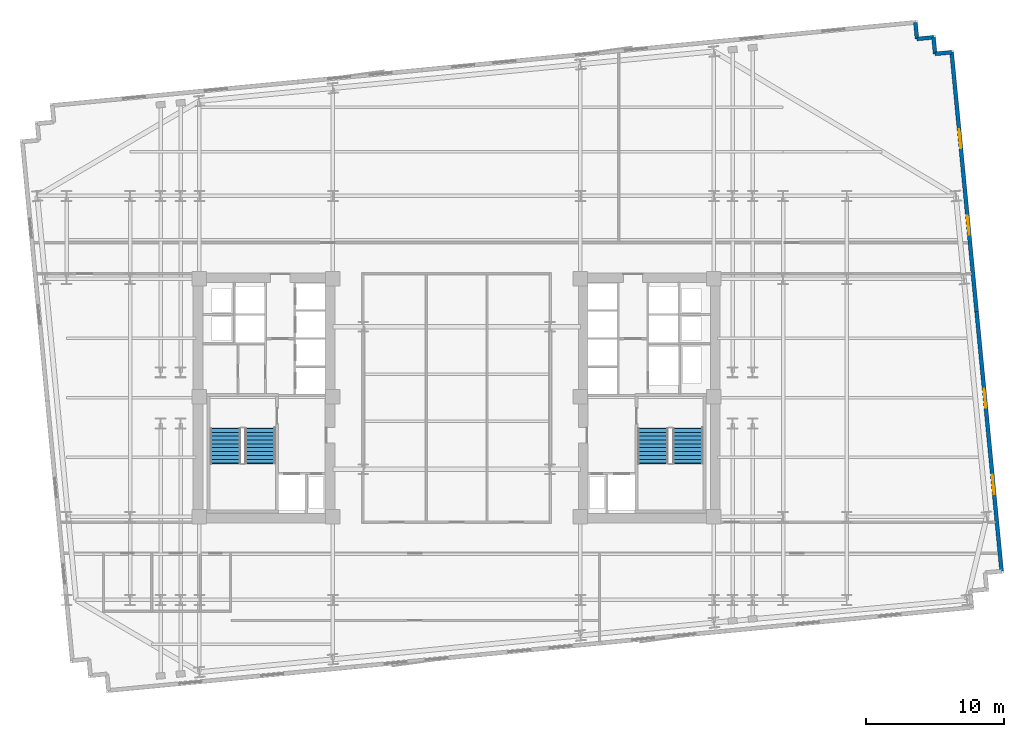
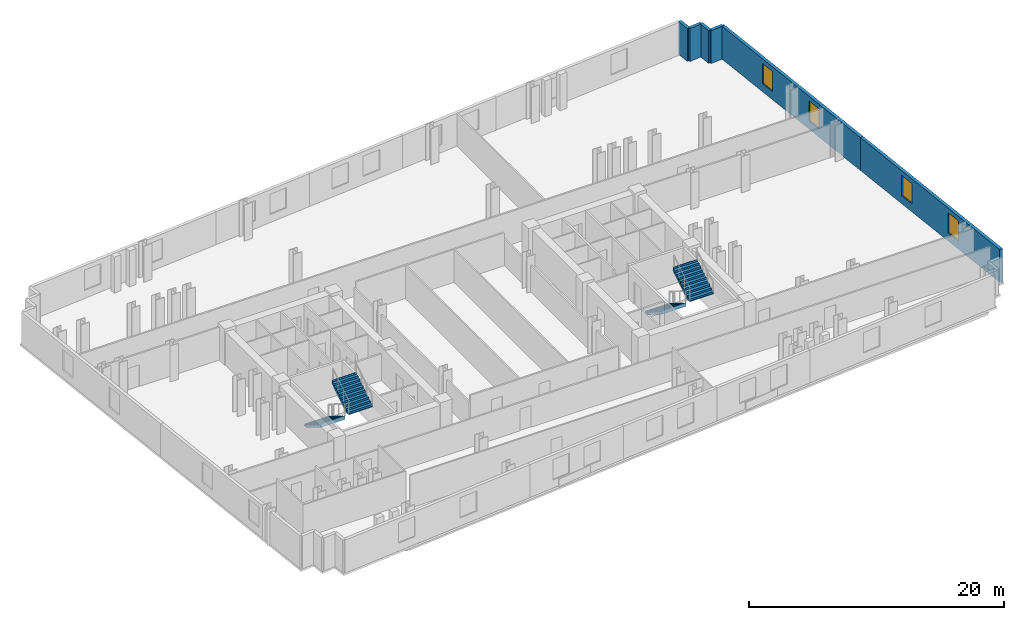
# One storey, part 8 of 10: 6 walls, 4 stair flights, 4 windows, 4 openings, 2 elements without a shape of their own.
"""IFC4 building model written with IfcOpenShell, lengths in metres."""

from ifc_helpers import new_model, si_unit, direction, frame, frame_2d, origin, place, context, subcontext, project, spatial, polyline, rectangle, outline, extrude, material, layer, layer_set, type_object, element, fill, aggregate, save


model = new_model("IFC4")

# Units and contexts
model_context = context("Model", 3, precision=1e-05, world=origin(), true_north=direction((0.0, 1.0)))
body_context = subcontext(model_context, "Body", "Model", "MODEL_VIEW")
ifc_project = project(units=[si_unit("LENGTHUNIT", "METRE"), si_unit("AREAUNIT", "SQUARE_METRE"), si_unit("VOLUMEUNIT", "CUBIC_METRE"), si_unit("PLANEANGLEUNIT", "RADIAN"), si_unit("MASSUNIT", "GRAM", prefix="KILO")], contexts=[model_context])

# Site, building, storey
site_placement = place(None, origin())
site = spatial("IfcSite", under=ifc_project, at=site_placement, CompositionType="ELEMENT")
building_placement = place(site_placement, origin())
building = spatial("IfcBuilding", under=site, at=building_placement, Name="Velakula Bourse", CompositionType="ELEMENT")
storey_placement = place(building_placement, frame((0.0, 0.0, 108.699951171875)))
storey = spatial("IfcBuildingStorey", under=building, at=storey_placement, Name="L29", CompositionType="ELEMENT", Elevation=108.699951171875)

# Wall, openings, windows
ifc_material_1 = material(Name="Red kilned clay facing brick masonry", Category="masonry")
ifc_layer_1 = layer(ifc_material_1, 0.280029296875, Name="Red kilned clay facing brick masonry", Category="masonry")
ifc_layer_set_1 = layer_set([ifc_layer_1], Name="Red kilned clay facing brick masonry")
wall_type = type_object("IfcWallType", Name="WL-EXT-BRK-280", PredefinedType="STANDARD", material=ifc_layer_set_1)
wall_1_placement = place(storey_placement, frame((37.584716796875, 6.23388671875, 0.0), z_axis=(0.0, 0.0, 1.0), x_axis=(0.095841297881, -0.99539662729, 0.0)))
wall_1 = element("IfcWall", 1, at=wall_1_placement, inside=storey, type_object=wall_type, Name="L29 E Brick End Wall W1", PredefinedType="STANDARD", context=body_context, shape_type="SweptSolid", body=[
    extrude(rectangle(XDim=18.840087890625, YDim=0.280029296875, at=frame_2d((9.419921875, 0.0))), origin(), (0.0, 0.0, 1.0), 3.150146484375),
])
opening_1_placement = place(wall_1_placement, frame((5.580078125, 0.0, 0.760009765625)))
opening_1 = element("IfcOpeningElement", 2, at=opening_1_placement, cuts=wall_1, Name="Opening W-03", PredefinedType="OPENING", context=body_context, shape_type="SweptSolid", body=[
    extrude(rectangle(XDim=1.39990234375, YDim=1.949951171875, at=frame_2d((0.699951171875, 0.97509765625))), frame((0.0, 0.14990234375, 0.0), z_axis=(0.0, -1.0, 0.0), x_axis=(1.0, 0.0, 0.0)), (0.0, 0.0, 1.0), 0.300048828125),
])
opening_2_placement = place(wall_1_placement, frame((11.860107421875, 0.0, 0.760009765625)))
opening_2 = element("IfcOpeningElement", 3, at=opening_2_placement, cuts=wall_1, Name="Opening W-03", PredefinedType="OPENING", context=body_context, shape_type="SweptSolid", body=[
    extrude(rectangle(XDim=1.39990234375, YDim=1.949951171875, at=frame_2d((0.699951171875, 0.97509765625))), frame((0.0, 0.14990234375, 0.0), z_axis=(0.0, -1.0, 0.0), x_axis=(1.0, 0.0, 0.0)), (0.0, 0.0, 1.0), 0.300048828125),
])
ifc_material_2 = material(Name="Double-glazed solar-control Low-E glass", Category="glass")
window_type = type_object("IfcWindowType", Name="WIN-TWR-1400x2100", PartitioningType="SINGLE_PANEL", PredefinedType="WINDOW", material=ifc_material_2)
window_1_placement = place(opening_1_placement, origin())
window_1 = element("IfcWindow", 4, at=window_1_placement, inside=storey, type_object=window_type, Name="L29 Deep-Set Recessed Window 1", OverallHeight=1.949951171875, OverallWidth=1.39990234375, PartitioningType="SINGLE_PANEL", PredefinedType="WINDOW", context=body_context, shape_type="SweptSolid", body=[
    extrude(rectangle(XDim=1.39990234375, YDim=1.949951171875, at=frame_2d((0.699951171875, 0.97509765625))), frame((0.0, 0.030029296875, 0.0), z_axis=(0.0, -1.0, 0.0), x_axis=(1.0, 0.0, 0.0)), (0.0, 0.0, 1.0), 0.06005859375),
])
fill(opening_1, window_1)
window_2_placement = place(opening_2_placement, origin())
window_2 = element("IfcWindow", 5, at=window_2_placement, inside=storey, type_object=window_type, Name="L29 Deep-Set Recessed Window 2", OverallHeight=1.949951171875, OverallWidth=1.39990234375, PartitioningType="SINGLE_PANEL", PredefinedType="WINDOW", context=body_context, shape_type="SweptSolid", body=[
    extrude(rectangle(XDim=1.39990234375, YDim=1.949951171875, at=frame_2d((0.699951171875, 0.97509765625))), frame((0.0, 0.030029296875, 0.0), z_axis=(0.0, -1.0, 0.0), x_axis=(1.0, 0.0, 0.0)), (0.0, 0.0, 1.0), 0.06005859375),
])
fill(opening_2, window_2)

wall_2_placement = place(storey_placement, frame((35.779052734375, 24.987060546875, 0.0), z_axis=(0.0, 0.0, 1.0), x_axis=(0.095842534142, -0.995396508256, 0.0)))
wall_2 = element("IfcWall", 6, at=wall_2_placement, inside=storey, type_object=wall_type, Name="L29 E Brick End Wall W2", PredefinedType="STANDARD", context=body_context, shape_type="SweptSolid", body=[
    extrude(rectangle(XDim=18.83984375, YDim=0.280029296875, at=frame_2d((9.419921875, 0.0))), origin(), (0.0, 0.0, 1.0), 3.150146484375),
])
opening_3_placement = place(wall_2_placement, frame((5.580078125, 0.0, 0.760009765625)))
opening_3 = element("IfcOpeningElement", 7, at=opening_3_placement, cuts=wall_2, Name="Opening W-03", PredefinedType="OPENING", context=body_context, shape_type="SweptSolid", body=[
    extrude(rectangle(XDim=1.39990234375, YDim=1.949951171875, at=frame_2d((0.699951171875, 0.97509765625))), frame((0.0, 0.14990234375, 0.0), z_axis=(0.0, -1.0, 0.0), x_axis=(1.0, 0.0, 0.0)), (0.0, 0.0, 1.0), 0.300048828125),
])
opening_4_placement = place(wall_2_placement, frame((11.860107421875, 0.0, 0.760009765625)))
opening_4 = element("IfcOpeningElement", 8, at=opening_4_placement, cuts=wall_2, Name="Opening W-03", PredefinedType="OPENING", context=body_context, shape_type="SweptSolid", body=[
    extrude(rectangle(XDim=1.39990234375, YDim=1.949951171875, at=frame_2d((0.699951171875, 0.97509765625))), frame((0.0, 0.14990234375, 0.0), z_axis=(0.0, -1.0, 0.0), x_axis=(1.0, 0.0, 0.0)), (0.0, 0.0, 1.0), 0.300048828125),
])
window_3_placement = place(opening_3_placement, origin())
window_3 = element("IfcWindow", 9, at=window_3_placement, inside=storey, type_object=window_type, Name="L29 Deep-Set Recessed Window 1", OverallHeight=1.949951171875, OverallWidth=1.39990234375, PartitioningType="SINGLE_PANEL", PredefinedType="WINDOW", context=body_context, shape_type="SweptSolid", body=[
    extrude(rectangle(XDim=1.39990234375, YDim=1.949951171875, at=frame_2d((0.699951171875, 0.97509765625))), frame((0.0, 0.030029296875, 0.0), z_axis=(0.0, -1.0, 0.0), x_axis=(1.0, 0.0, 0.0)), (0.0, 0.0, 1.0), 0.06005859375),
])
fill(opening_3, window_3)
window_4_placement = place(opening_4_placement, origin())
window_4 = element("IfcWindow", 10, at=window_4_placement, inside=storey, type_object=window_type, Name="L29 Deep-Set Recessed Window 2", OverallHeight=1.949951171875, OverallWidth=1.39990234375, PartitioningType="SINGLE_PANEL", PredefinedType="WINDOW", context=body_context, shape_type="SweptSolid", body=[
    extrude(rectangle(XDim=1.39990234375, YDim=1.949951171875, at=frame_2d((0.699951171875, 0.97509765625))), frame((0.0, 0.030029296875, 0.0), z_axis=(0.0, -1.0, 0.0), x_axis=(1.0, 0.0, 0.0)), (0.0, 0.0, 1.0), 0.06005859375),
])
fill(opening_4, window_4)

# Walls
for number, where, z_axis, x_axis, name in (
    (11, (35.779052734375, 24.987060546875, 0.0), (0.0, 0.0, 1.0), (-0.995398960025, -0.095817067274, 0.0), "L29 Serrated Corner Brick Wall NE-1"),
    (12, (34.58447265625, 24.8720703125, 0.0), (0.0, 0.0, 1.0), (-0.095817067274, 0.995398960025, 0.0), "L29 Serrated Corner Brick Wall NE-2"),
    (13, (34.469482421875, 26.066650390625, 0.0), (0.0, 0.0, 1.0), (-0.995398960025, -0.095817067274, 0.0), "L29 Serrated Corner Brick Wall NE-3"),
):
    element("IfcWall", number, at=place(storey_placement, frame(where, z_axis=z_axis, x_axis=x_axis)), inside=storey, type_object=wall_type, Name=name, PredefinedType="STANDARD", context=body_context, shape_type="SweptSolid", body=[
        extrude(rectangle(XDim=1.2001953125, YDim=0.280029296875, at=frame_2d((0.60009765625, 0.0))), origin(), (0.0, 0.0, 1.0), 3.150146484375),
    ])
wall_3_placement = place(storey_placement, frame((33.27490234375, 25.95166015625, 0.0), z_axis=(0.0, 0.0, 1.0), x_axis=(-0.095836473879, 0.995397091755, 0.0)))
element("IfcWall", 14, at=wall_3_placement, inside=storey, type_object=wall_type, Name="L29 Serrated Corner Brick Wall NE-4", PredefinedType="STANDARD", context=body_context, shape_type="SweptSolid", body=[
    extrude(rectangle(XDim=1.199951171875, YDim=0.280029296875, at=frame_2d((0.60009765625, 0.0))), origin(), (0.0, 0.0, 1.0), 3.150146484375),
])

# Stair, stair flights
ifc_material_3 = material(Name="Concrete M45 (fck 45 MPa)", Category="concrete")
stair_type = type_object("IfcStairType", Name="STR-DOG-390", PredefinedType="HALF_TURN_STAIR", material=ifc_material_3)
stair_1_placement = place(storey_placement, origin())
stair_1 = element("IfcStair", 15, at=stair_1_placement, inside=storey, type_object=stair_type, Name="L29 West Core Exit Stair ST-W1", PredefinedType="HALF_TURN_STAIR")
ifc_layer_2 = layer(ifc_material_3, 0.195068359375, Name="Concrete M45 (fck 45 MPa)", Category="concrete")
ifc_layer_set_2 = layer_set([ifc_layer_2], Name="Concrete M45 (fck 45 MPa)")
stair_flight_type = type_object("IfcStairFlightType", Name="FLT-DOG-390", PredefinedType="STRAIGHT", material=ifc_layer_set_2)
stair_flight_1_placement = place(storey_placement, frame((-16.720947265625, -2.199951171875, 0.0), z_axis=(0.0, 0.0, 1.0), x_axis=(0.0, -1.0, 0.0)))
stair_flight_1 = element("IfcStairFlight", 16, at=stair_flight_1_placement, type_object=stair_flight_type, Name="ST-W1 flight 1", NumberOfRisers=10, NumberOfTreads=9, PredefinedType="STRAIGHT", RiserHeight=0.1725, TreadLength=0.28, context=body_context, shape_type="SweptSolid", body=[
    extrude(outline(polyline([(-0.044921875, -0.0400390625), (-0.044921875, -0.036865234375), (-0.044921875, -0.033935546875), (-0.044921875, -0.03076171875), (-0.044921875, -0.027587890625), (-0.044921875, -0.024658203125), (-0.044921875, -0.021484375), (-0.044921875, -0.0185546875), (-0.044921875, -0.015380859375), (-0.044921875, -0.01220703125), (-0.044921875, -0.00927734375), (-0.044921875, -0.006103515625), (-0.044921875, -0.003173828125), (-0.044921875, 0.0), (0.0, 0.0), (0.0, 0.172607421875), (0.280029296875, 0.172607421875), (0.280029296875, 0.344970703125), (0.56005859375, 0.344970703125), (0.56005859375, 0.517578125), (0.840087890625, 0.517578125), (0.840087890625, 0.68994140625), (1.1201171875, 0.68994140625), (1.1201171875, 0.862548828125), (1.39990234375, 0.862548828125), (1.39990234375, 1.034912109375), (1.679931640625, 1.034912109375), (1.679931640625, 1.20751953125), (1.9599609375, 1.20751953125), (1.9599609375, 1.3798828125), (2.239990234375, 1.3798828125), (2.239990234375, 1.552490234375), (2.52001953125, 1.552490234375), (2.52001953125, 1.72509765625), (2.56494140625, 1.72509765625), (2.56494140625, 1.7001953125), (2.56494140625, 1.67529296875), (2.56494140625, 1.650390625), (2.56494140625, 1.62548828125), (2.56494140625, 1.6005859375), (2.56494140625, 1.57568359375), (2.56494140625, 1.55078125), (2.56494140625, 1.52587890625), (2.56494140625, 1.5009765625), (2.56494140625, 1.47607421875), (2.56494140625, 1.451171875), (2.56494140625, 1.42626953125), (2.56494140625, 1.4013671875), (2.56494140625, 1.37646484375), (0.285888671875, -0.0400390625), (-0.044921875, -0.0400390625)])), frame((0.0, 1.09912109375, 0.0), z_axis=(0.0, -1.0, 0.0), x_axis=(1.0, 0.0, 0.0)), (0.0, 0.0, 1.0), 2.197998046875),
])
stair_flight_2_placement = place(storey_placement, frame((-14.198974609375, -4.719970703125, 1.72509765625), z_axis=(0.0, 0.0, 1.0), x_axis=(0.0, 1.0, 0.0)))
stair_flight_2 = element("IfcStairFlight", 17, at=stair_flight_2_placement, type_object=stair_flight_type, Name="ST-W1 flight 2", NumberOfRisers=10, NumberOfTreads=9, PredefinedType="STRAIGHT", RiserHeight=0.1725, TreadLength=0.28, context=body_context, shape_type="SweptSolid", body=[
    extrude(outline(polyline([(-0.044921875, -0.0400390625), (-0.044921875, -0.036865234375), (-0.044921875, -0.033935546875), (-0.044921875, -0.03076171875), (-0.044921875, -0.027587890625), (-0.044921875, -0.024658203125), (-0.044921875, -0.021484375), (-0.044921875, -0.0185546875), (-0.044921875, -0.015380859375), (-0.044921875, -0.01220703125), (-0.044921875, -0.00927734375), (-0.044921875, -0.006103515625), (-0.044921875, -0.003173828125), (-0.044921875, 0.0), (0.0, 0.0), (0.0, 0.172607421875), (0.280029296875, 0.172607421875), (0.280029296875, 0.344970703125), (0.56005859375, 0.344970703125), (0.56005859375, 0.517578125), (0.840087890625, 0.517578125), (0.840087890625, 0.68994140625), (1.1201171875, 0.68994140625), (1.1201171875, 0.862548828125), (1.39990234375, 0.862548828125), (1.39990234375, 1.034912109375), (1.679931640625, 1.034912109375), (1.679931640625, 1.20751953125), (1.9599609375, 1.20751953125), (1.9599609375, 1.3798828125), (2.239990234375, 1.3798828125), (2.239990234375, 1.552490234375), (2.52001953125, 1.552490234375), (2.52001953125, 1.72509765625), (2.56494140625, 1.72509765625), (2.56494140625, 1.7001953125), (2.56494140625, 1.67529296875), (2.56494140625, 1.650390625), (2.56494140625, 1.62548828125), (2.56494140625, 1.6005859375), (2.56494140625, 1.57568359375), (2.56494140625, 1.55078125), (2.56494140625, 1.52587890625), (2.56494140625, 1.5009765625), (2.56494140625, 1.47607421875), (2.56494140625, 1.451171875), (2.56494140625, 1.42626953125), (2.56494140625, 1.4013671875), (2.56494140625, 1.37646484375), (0.285888671875, -0.0400390625), (-0.044921875, -0.0400390625)])), frame((0.0, 1.09912109375, 0.0), z_axis=(0.0, -1.0, 0.0), x_axis=(1.0, 0.0, 0.0)), (0.0, 0.0, 1.0), 2.197998046875),
])
aggregate(stair_1, [stair_flight_1, stair_flight_2])

stair_2_placement = place(storey_placement, origin())
stair_2 = element("IfcStair", 18, at=stair_2_placement, inside=storey, type_object=stair_type, Name="L29 East Core Exit Stair ST-E1", PredefinedType="HALF_TURN_STAIR")
stair_flight_3_placement = place(storey_placement, frame((14.198974609375, -2.199951171875, 0.0), z_axis=(0.0, 0.0, 1.0), x_axis=(0.0, -1.0, 0.0)))
stair_flight_3 = element("IfcStairFlight", 19, at=stair_flight_3_placement, type_object=stair_flight_type, Name="ST-E1 flight 1", NumberOfRisers=10, NumberOfTreads=9, PredefinedType="STRAIGHT", RiserHeight=0.1725, TreadLength=0.28, context=body_context, shape_type="SweptSolid", body=[
    extrude(outline(polyline([(-0.044921875, -0.0400390625), (-0.044921875, -0.036865234375), (-0.044921875, -0.033935546875), (-0.044921875, -0.03076171875), (-0.044921875, -0.027587890625), (-0.044921875, -0.024658203125), (-0.044921875, -0.021484375), (-0.044921875, -0.0185546875), (-0.044921875, -0.015380859375), (-0.044921875, -0.01220703125), (-0.044921875, -0.00927734375), (-0.044921875, -0.006103515625), (-0.044921875, -0.003173828125), (-0.044921875, 0.0), (0.0, 0.0), (0.0, 0.172607421875), (0.280029296875, 0.172607421875), (0.280029296875, 0.344970703125), (0.56005859375, 0.344970703125), (0.56005859375, 0.517578125), (0.840087890625, 0.517578125), (0.840087890625, 0.68994140625), (1.1201171875, 0.68994140625), (1.1201171875, 0.862548828125), (1.39990234375, 0.862548828125), (1.39990234375, 1.034912109375), (1.679931640625, 1.034912109375), (1.679931640625, 1.20751953125), (1.9599609375, 1.20751953125), (1.9599609375, 1.3798828125), (2.239990234375, 1.3798828125), (2.239990234375, 1.552490234375), (2.52001953125, 1.552490234375), (2.52001953125, 1.72509765625), (2.56494140625, 1.72509765625), (2.56494140625, 1.7001953125), (2.56494140625, 1.67529296875), (2.56494140625, 1.650390625), (2.56494140625, 1.62548828125), (2.56494140625, 1.6005859375), (2.56494140625, 1.57568359375), (2.56494140625, 1.55078125), (2.56494140625, 1.52587890625), (2.56494140625, 1.5009765625), (2.56494140625, 1.47607421875), (2.56494140625, 1.451171875), (2.56494140625, 1.42626953125), (2.56494140625, 1.4013671875), (2.56494140625, 1.37646484375), (0.285888671875, -0.0400390625), (-0.044921875, -0.0400390625)])), frame((0.0, 1.09912109375, 0.0), z_axis=(0.0, -1.0, 0.0), x_axis=(1.0, 0.0, 0.0)), (0.0, 0.0, 1.0), 2.197998046875),
])
stair_flight_4_placement = place(storey_placement, frame((16.720947265625, -4.719970703125, 1.72509765625), z_axis=(0.0, 0.0, 1.0), x_axis=(0.0, 1.0, 0.0)))
stair_flight_4 = element("IfcStairFlight", 20, at=stair_flight_4_placement, type_object=stair_flight_type, Name="ST-E1 flight 2", NumberOfRisers=10, NumberOfTreads=9, PredefinedType="STRAIGHT", RiserHeight=0.1725, TreadLength=0.28, context=body_context, shape_type="SweptSolid", body=[
    extrude(outline(polyline([(-0.044921875, -0.0400390625), (-0.044921875, -0.036865234375), (-0.044921875, -0.033935546875), (-0.044921875, -0.03076171875), (-0.044921875, -0.027587890625), (-0.044921875, -0.024658203125), (-0.044921875, -0.021484375), (-0.044921875, -0.0185546875), (-0.044921875, -0.015380859375), (-0.044921875, -0.01220703125), (-0.044921875, -0.00927734375), (-0.044921875, -0.006103515625), (-0.044921875, -0.003173828125), (-0.044921875, 0.0), (0.0, 0.0), (0.0, 0.172607421875), (0.280029296875, 0.172607421875), (0.280029296875, 0.344970703125), (0.56005859375, 0.344970703125), (0.56005859375, 0.517578125), (0.840087890625, 0.517578125), (0.840087890625, 0.68994140625), (1.1201171875, 0.68994140625), (1.1201171875, 0.862548828125), (1.39990234375, 0.862548828125), (1.39990234375, 1.034912109375), (1.679931640625, 1.034912109375), (1.679931640625, 1.20751953125), (1.9599609375, 1.20751953125), (1.9599609375, 1.3798828125), (2.239990234375, 1.3798828125), (2.239990234375, 1.552490234375), (2.52001953125, 1.552490234375), (2.52001953125, 1.72509765625), (2.56494140625, 1.72509765625), (2.56494140625, 1.7001953125), (2.56494140625, 1.67529296875), (2.56494140625, 1.650390625), (2.56494140625, 1.62548828125), (2.56494140625, 1.6005859375), (2.56494140625, 1.57568359375), (2.56494140625, 1.55078125), (2.56494140625, 1.52587890625), (2.56494140625, 1.5009765625), (2.56494140625, 1.47607421875), (2.56494140625, 1.451171875), (2.56494140625, 1.42626953125), (2.56494140625, 1.4013671875), (2.56494140625, 1.37646484375), (0.285888671875, -0.0400390625), (-0.044921875, -0.0400390625)])), frame((0.0, 1.09912109375, 0.0), z_axis=(0.0, -1.0, 0.0), x_axis=(1.0, 0.0, 0.0)), (0.0, 0.0, 1.0), 2.197998046875),
])
aggregate(stair_2, [stair_flight_3, stair_flight_4])

save(model, "model.ifc")
